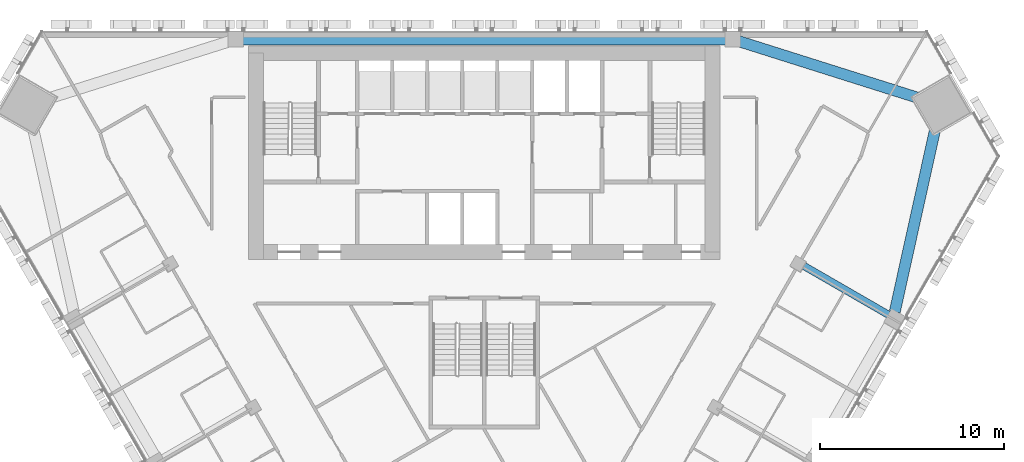
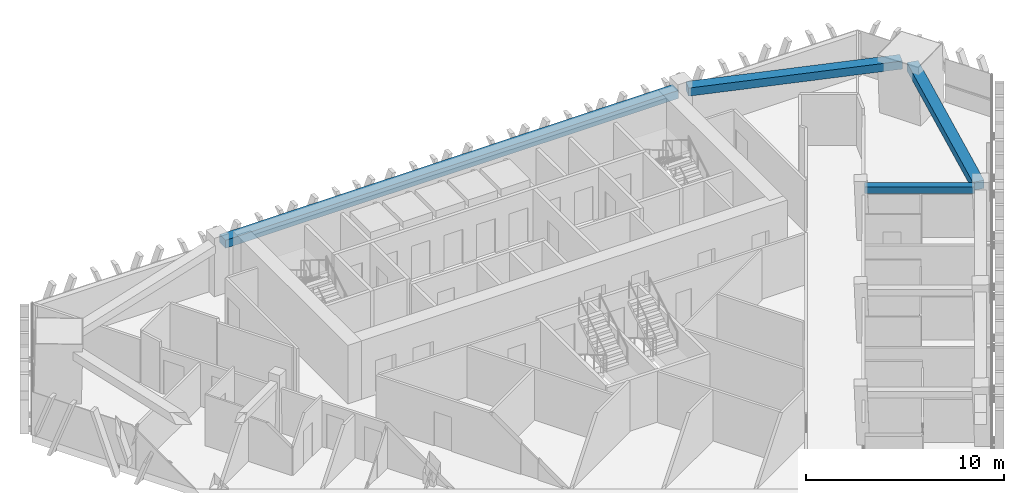
# One storey, part 6 of 16: 4 beams.
"""IFC4 building model written with IfcOpenShell, lengths in metres."""

from ifc_helpers import new_model, si_unit, direction, frame, origin, origin_2d, place, context, subcontext, project, spatial, rectangle, extrude, material, material_profile, profile_set, type_object, element, save


model = new_model("IFC4")

# Units and contexts
model_context = context("Model", 3, precision=1e-05, world=origin(), true_north=direction((0.0, 1.0)))
body_context = subcontext(model_context, "Body", "Model", "MODEL_VIEW")
ifc_project = project(units=[si_unit("LENGTHUNIT", "METRE"), si_unit("AREAUNIT", "SQUARE_METRE"), si_unit("VOLUMEUNIT", "CUBIC_METRE"), si_unit("PLANEANGLEUNIT", "RADIAN"), si_unit("MASSUNIT", "GRAM", prefix="KILO")], contexts=[model_context])

# Site, building, storey
site_placement = place(None, origin())
site = spatial("IfcSite", under=ifc_project, at=site_placement, CompositionType="ELEMENT")
building_placement = place(site_placement, origin())
building = spatial("IfcBuilding", under=site, at=building_placement, Name="Altiplano Prism Tower", CompositionType="ELEMENT")
storey_placement = place(building_placement, frame((0.0, 0.0, 127.800048828125)))
storey = spatial("IfcBuildingStorey", under=building, at=storey_placement, Name="L32", CompositionType="ELEMENT", Elevation=127.800048828125)

# Beams
ifc_material = material(Name="Concrete C60/75", Category="concrete")
ifc_material_profile_1 = material_profile(ifc_material, rectangle(XDim=0.60009765625, YDim=0.5, at=origin_2d()), Name="Edge beam 600x500")
ifc_profile_set_1 = profile_set([ifc_material_profile_1], Name="Concrete C60/75")
beam_type_1 = type_object("IfcBeamType", Name="Edge beam 600x500", PredefinedType="SPANDREL", material=ifc_profile_set_1)
for number, where, z_axis, x_axis, name in (
    (1, (107.29736328125, 89.752197265625, 2.89990234375), (0.21594598208, 0.976405311755, 0.0), (-0.976405311755, 0.21594598208, 0.0), "Edge beam P24-M2 L33"),
    (2, (109.352783203125, 101.1220703125, 2.89990234375), (-0.953564307249, 0.301189495069, 0.0), (-0.301189495069, -0.953564307249, 0.0), "Edge beam M2-P01 L33"),
):
    element("IfcBeam", number, at=place(storey_placement, frame(where, z_axis=z_axis, x_axis=x_axis)), inside=storey, type_object=beam_type_1, Name=name, PredefinedType="SPANDREL", context=body_context, shape_type="SweptSolid", body=[
        extrude(rectangle(XDim=0.60009765625, YDim=0.5, at=origin_2d()), origin(), (0.0, 0.0, 1.0), 11.0556640625),
    ])
beam_1_placement = place(storey_placement, frame((98.195068359375, 104.550048828125, 2.89990234375), z_axis=(-1.0, 0.0, 0.0), x_axis=(0.0, -1.0, 0.0)))
element("IfcBeam", 3, at=beam_1_placement, inside=storey, type_object=beam_type_1, Name="Edge beam P01-P04 L33", PredefinedType="SPANDREL", context=body_context, shape_type="SweptSolid", body=[
    extrude(rectangle(XDim=0.60009765625, YDim=0.5, at=origin_2d()), origin(), (0.0, 0.0, 1.0), 26.39013671875),
])
ifc_material_profile_2 = material_profile(ifc_material, rectangle(XDim=0.39990234375, YDim=0.39990234375, at=origin_2d()), Name="Tie beam 400x400")
ifc_profile_set_2 = profile_set([ifc_material_profile_2], Name="Concrete C60/75")
beam_type_2 = type_object("IfcBeamType", Name="Tie beam 400x400", PredefinedType="BEAM", material=ifc_profile_set_2)
beam_2_placement = place(storey_placement, frame((102.165283203125, 92.356689453125, 2.949951171875), z_axis=(0.866016055733, -0.50001619095, 0.0), x_axis=(0.50001619095, 0.866016055733, 0.0)))
element("IfcBeam", 4, at=beam_2_placement, inside=storey, type_object=beam_type_2, Name="Tie beam I24 L33", PredefinedType="BEAM", context=body_context, shape_type="SweptSolid", body=[
    extrude(rectangle(XDim=0.39990234375, YDim=0.39990234375, at=origin_2d()), origin(), (0.0, 0.0, 1.0), 5.539794921875),
])

save(model, "model.ifc")
